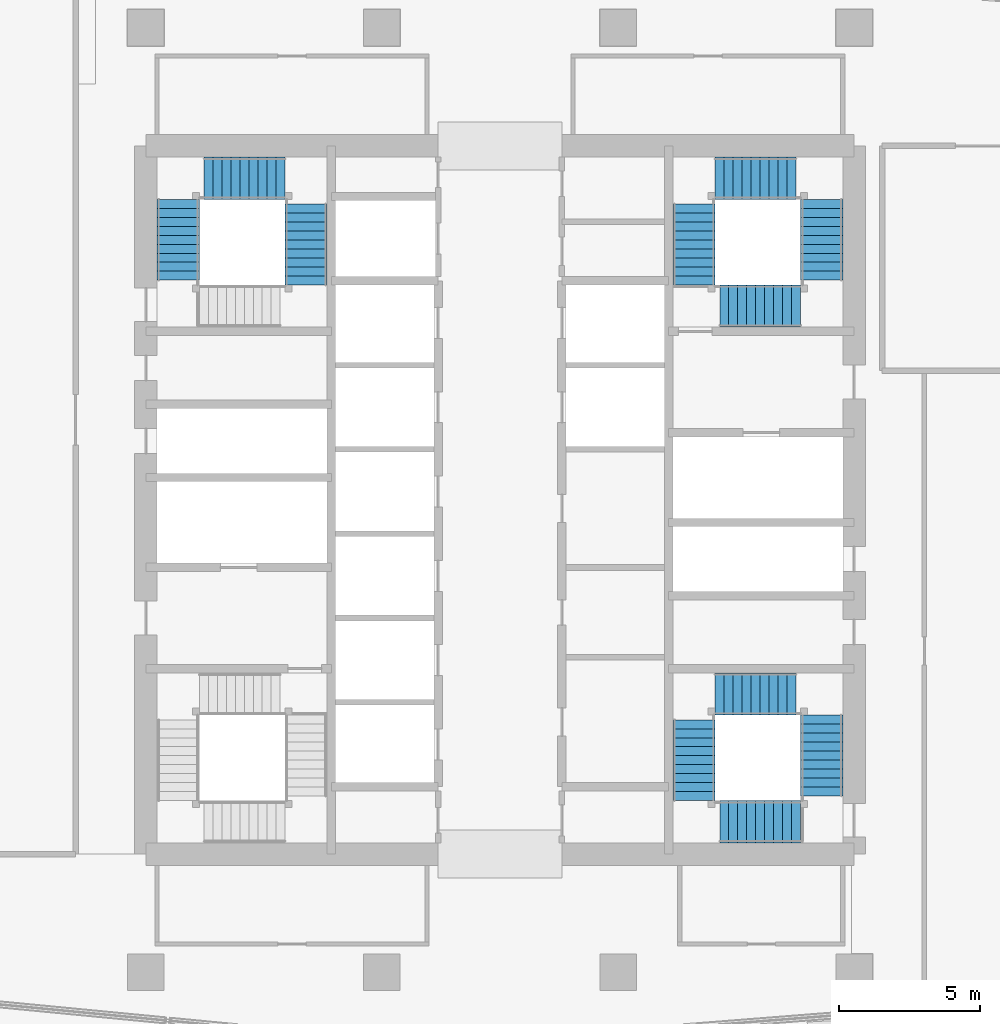
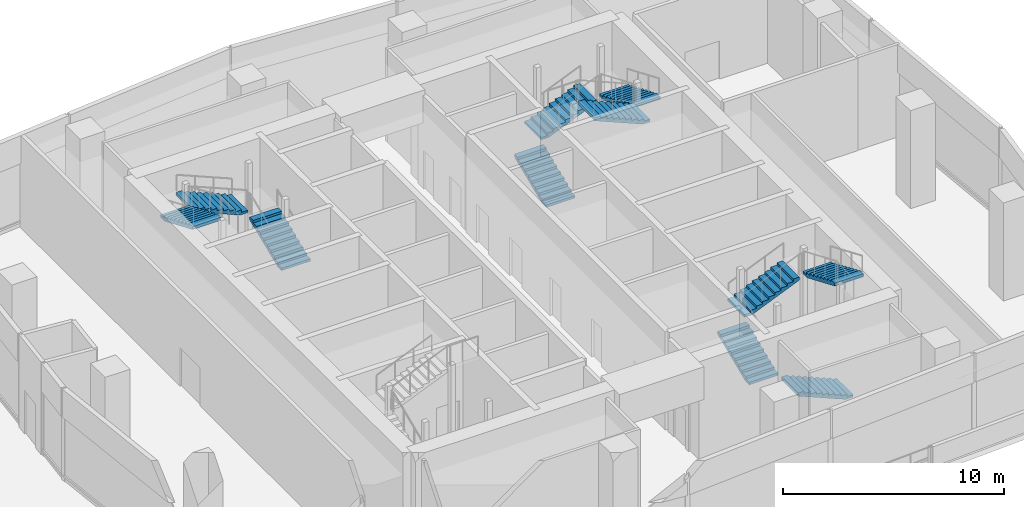
# One storey, part 15 of 22: 11 stair flights, 3 elements without a shape of their own.
"""IFC4 building model written with IfcOpenShell, lengths in metres."""

import ifcopenshell
import ifcopenshell.guid

model = None  # the IFC model being written
_history = None  # IfcOwnerHistory: only IFC2X3 demands one
_inside = {}  # id of a spatial element -> (the spatial element, [elements in it])
_under = {}  # id of a project, library or spatial element -> (it, [spatial elements below it])
_declared = {}  # id of a project -> (the project, [libraries it declares])
_typed = {}  # id of a type object -> (the type object, [elements of that type])
_made_of = {}  # id of a material, layer set ... -> (it, [elements and type objects made of it])


def new_model(schema):
    """Start an empty IFC model of exactly this schema.

    Asked for "IFC4X3", IfcOpenShell would pick the latest addendum, in which some entities
    have other attributes; the version numbers below select the first issue.
    IFC2X3 requires an IfcOwnerHistory on every rooted entity: one is made here for all.
    """
    global model, _history
    if schema == "IFC4X3":
        model = ifcopenshell.file(schema_version=(4, 3, 0, 0))
    else:
        model = ifcopenshell.file(schema=schema)
    _inside.clear()
    _under.clear()
    _declared.clear()
    _typed.clear()
    _made_of.clear()
    _history = None
    if model.schema == "IFC2X3":
        org = make("IfcOrganization", Name="unknown")
        user = make(
            "IfcPersonAndOrganization",
            ThePerson=make("IfcPerson", FamilyName="unknown"),
            TheOrganization=org,
        )
        app = make(
            "IfcApplication",
            ApplicationDeveloper=org,
            Version="unknown",
            ApplicationFullName="unknown",
            ApplicationIdentifier="unknown",
        )
        _history = make(
            "IfcOwnerHistory",
            OwningUser=user,
            OwningApplication=app,
            ChangeAction="ADDED",
            CreationDate=0,
        )
    return model


def make(cls, **values):
    """One entity of the class cls with the attributes given. An attribute that is None is left unset."""
    return model.create_entity(
        cls, **{name: value for name, value in values.items() if value is not None}
    )


def rooted(cls, **values):
    """An entity with a GlobalId (a new one), such as an element, a storey or a relation."""
    return make(cls, GlobalId=ifcopenshell.guid.new(), OwnerHistory=_history, **values)


def si_unit(unit_type, name, prefix=None):
    """IfcSIUnit, for example si_unit("LENGTHUNIT", "METRE", prefix="MILLI")."""
    return make("IfcSIUnit", UnitType=unit_type, Prefix=prefix, Name=name)


def assignment(units):
    """IfcUnitAssignment: the units of a project."""
    return None if units is None else make("IfcUnitAssignment", Units=units)


def point(xyz):
    """IfcCartesianPoint."""
    return None if xyz is None else make("IfcCartesianPoint", Coordinates=xyz)


def direction(xyz):
    """IfcDirection."""
    return None if xyz is None else make("IfcDirection", DirectionRatios=xyz)


def frame(location, z_axis=None, x_axis=None):
    """IfcAxis2Placement3D, a coordinate frame: its origin and axes. An axis left out is left unset."""
    return make(
        "IfcAxis2Placement3D",
        Location=point(location),
        Axis=direction(z_axis),
        RefDirection=direction(x_axis),
    )


def origin():
    """The frame at (0, 0, 0) with its axes left unset."""
    return frame((0.0, 0.0, 0.0))


def place(relative_to, where):
    """IfcLocalPlacement: puts the frame where relative to a parent placement (None: the world)."""
    return make(
        "IfcLocalPlacement", PlacementRelTo=relative_to, RelativePlacement=where
    )


def context(
    kind, dimensions, precision=None, world=None, true_north=None, identifier=None
):
    """IfcGeometricRepresentationContext, for example the 3D "Model" context."""
    return make(
        "IfcGeometricRepresentationContext",
        ContextIdentifier=identifier,
        ContextType=kind,
        CoordinateSpaceDimension=dimensions,
        Precision=precision,
        WorldCoordinateSystem=world,
        TrueNorth=true_north,
    )


def subcontext(parent, identifier, kind, view, scale=None):
    """IfcGeometricRepresentationSubContext, for example "Body" below "Model"."""
    return make(
        "IfcGeometricRepresentationSubContext",
        ContextIdentifier=identifier,
        ContextType=kind,
        ParentContext=parent,
        TargetScale=scale,
        TargetView=view,
    )


def project(units=None, contexts=None):
    """IfcProject with its units and contexts."""
    return rooted(
        "IfcProject",
        Name="project",
        RepresentationContexts=contexts,
        UnitsInContext=assignment(units),
    )


def spatial(cls, under=None, at=None, **own):
    """A site, building, storey or space (cls), placed at a placement, below another one or the project."""
    s = rooted(cls, ObjectPlacement=at, **own)
    if under is not None:
        _under.setdefault(under.id(), (under, []))[1].append(s)
    return s


def polyline(points):
    """IfcPolyline through the points."""
    return make("IfcPolyline", Points=[point(p) for p in points])


def outline(outer, holes=None, kind="AREA"):
    """IfcArbitraryClosedProfileDef: a profile drawn as a closed curve; with holes, ...WithVoids."""
    if holes is None:
        return make("IfcArbitraryClosedProfileDef", ProfileType=kind, OuterCurve=outer)
    return make(
        "IfcArbitraryProfileDefWithVoids",
        ProfileType=kind,
        OuterCurve=outer,
        InnerCurves=holes,
    )


def extrude(swept, where, along, depth):
    """IfcExtrudedAreaSolid: the profile swept, set in the frame where, extruded along a direction by depth."""
    return make(
        "IfcExtrudedAreaSolid",
        SweptArea=swept,
        Position=where,
        ExtrudedDirection=direction(along),
        Depth=depth,
    )


def shape(context_of_items, identifier, shape_type, items):
    """IfcShapeRepresentation: the items that make up one representation, for example the "Body"."""
    return make(
        "IfcShapeRepresentation",
        ContextOfItems=context_of_items,
        RepresentationIdentifier=identifier,
        RepresentationType=shape_type,
        Items=items,
    )


def material(Name=None, Category=None):
    """IfcMaterial."""
    return make("IfcMaterial", Name=Name, Category=Category)


def made_of(thing, what):
    """Note that an element or type object is made of a material, layer set ...; save() writes the relation."""
    if what is not None:
        _made_of.setdefault(what.id(), (what, []))[1].append(thing)
    return thing


def type_object(cls, material=None, **own):
    """A type object (cls), such as IfcWallType, which elements share."""
    return made_of(rooted(cls, **own), material)


def element(
    cls,
    number,
    at=None,
    inside=None,
    cuts=None,
    type_object=None,
    material=None,
    context=None,
    identifier="Body",
    shape_type=None,
    held_by="IfcProductDefinitionShape",
    body=None,
    shapes=None,
    **own,
):
    """One element of the class cls, such as IfcWall. Its Tag is "e" and its number.

    at: its placement. inside: the storey or other place that contains it. cuts: it is an
    opening in that element (IfcRelVoidsElement). A single representation is given by context,
    identifier, shape_type and body (its items); several are given by shapes. held_by: the class
    of the entity that holds the representations. save() writes the other relations.
    """
    e = rooted(cls, Tag="e%d" % number, ObjectPlacement=at, **own)
    if body is not None:
        shapes = [shape(context, identifier, shape_type, body)]
    if shapes is not None:
        e.Representation = make(held_by, Representations=shapes)
    if inside is not None:
        _inside.setdefault(inside.id(), (inside, []))[1].append(e)
    if cuts is not None:
        rooted(
            "IfcRelVoidsElement", RelatingBuildingElement=cuts, RelatedOpeningElement=e
        )
    if type_object is not None:
        _typed.setdefault(type_object.id(), (type_object, []))[1].append(e)
    return made_of(e, material)


def aggregate(whole, parts):
    """IfcRelAggregates: a whole, such as a stair, and the parts it consists of."""
    return rooted("IfcRelAggregates", RelatingObject=whole, RelatedObjects=parts)


def save(model, path):
    """Write the relations noted so far, then the file.

    IfcRelAggregates (storeys below a building ...), IfcRelContainedInSpatialStructure (elements
    in a storey), IfcRelDefinesByType, IfcRelAssociatesMaterial and IfcRelDeclares: one each for
    every whole, place, type object, material and project.
    """
    for whole, parts in _under.values():
        aggregate(whole, parts)
    for where, things in _inside.values():
        rooted(
            "IfcRelContainedInSpatialStructure",
            RelatedElements=things,
            RelatingStructure=where,
        )
    for kind, things in _typed.values():
        rooted("IfcRelDefinesByType", RelatedObjects=things, RelatingType=kind)
    for what, things in _made_of.values():
        rooted("IfcRelAssociatesMaterial", RelatedObjects=things, RelatingMaterial=what)
    for by, libraries in _declared.values():
        rooted("IfcRelDeclares", RelatingContext=by, RelatedDefinitions=libraries)
    model.write(path)


model = new_model("IFC4")

# Units and contexts
model_context = context("Model", 3, precision=1e-05, world=origin(), true_north=direction((0.0, 1.0)))
body_context = subcontext(model_context, "Body", "Model", "MODEL_VIEW")
ifc_project = project(units=[si_unit("LENGTHUNIT", "METRE"), si_unit("AREAUNIT", "SQUARE_METRE"), si_unit("VOLUMEUNIT", "CUBIC_METRE"), si_unit("PLANEANGLEUNIT", "RADIAN"), si_unit("MASSUNIT", "GRAM", prefix="KILO")], contexts=[model_context])

# Site, building, storey
site_placement = place(None, origin())
site = spatial("IfcSite", under=ifc_project, at=site_placement, CompositionType="ELEMENT")
building_placement = place(site_placement, origin())
building = spatial("IfcBuilding", under=site, at=building_placement, Name="Rekha Terrace Tower", CompositionType="ELEMENT")
storey_placement = place(building_placement, frame((0.0, 0.0, 291.35009765625)))
storey = spatial("IfcBuildingStorey", under=building, at=storey_placement, Name="L74", CompositionType="ELEMENT", Elevation=291.35009765625)

# Stair, stair flights
ifc_material = material(Name="Concrete M40", Category="concrete")
stair_type = type_object("IfcStairType", Name="ST40 stair, 40 risers of 135, going 320, 1500 wide flights, 4 flights", PredefinedType="QUARTER_TURN_STAIR", material=ifc_material)
stair_1_placement = place(storey_placement, origin())
stair_1 = element("IfcStair", 1, at=stair_1_placement, inside=storey, type_object=stair_type, Name="Stair ST2 L74 to L75", PredefinedType="QUARTER_TURN_STAIR")
stair_flight_type = type_object("IfcStairFlightType", Name="SF10 stair flight, 10 risers of 135, going 320, 1500 wide", PredefinedType="STRAIGHT", material=ifc_material)
stair_flight_1_placement = place(storey_placement, frame((44.699951171875, 41.25, 0.0), z_axis=(0.0, 0.0, 1.0), x_axis=(0.0, 1.0, 0.0)))
stair_flight_1 = element("IfcStairFlight", 2, at=stair_flight_1_placement, type_object=stair_flight_type, Name="ST2 flight 1", NumberOfRisers=10, NumberOfTreads=9, PredefinedType="STRAIGHT", RiserHeight=0.135, TreadLength=0.32, context=body_context, shape_type="SweptSolid", body=[
    extrude(outline(polyline([(0.0, 0.0), (0.0, 0.135009765625), (0.320068359375, 0.135009765625), (0.320068359375, 0.27001953125), (0.639892578125, 0.27001953125), (0.639892578125, 0.405029296875), (0.9599609375, 0.405029296875), (0.9599609375, 0.5400390625), (1.280029296875, 0.5400390625), (1.280029296875, 0.675048828125), (1.60009765625, 0.675048828125), (1.60009765625, 0.81005859375), (1.919921875, 0.81005859375), (1.919921875, 0.945068359375), (2.239990234375, 0.945068359375), (2.239990234375, 1.080078125), (2.56005859375, 1.080078125), (2.56005859375, 1.215087890625), (2.8798828125, 1.215087890625), (2.8798828125, 1.35009765625), (2.8798828125, 1.05224609375), (0.3857421875, 0.0), (0.0, 0.0)])), frame((0.0, 0.75, 0.0), z_axis=(0.0, -1.0, 0.0), x_axis=(1.0, 0.0, 0.0)), (0.0, 0.0, 1.0), 1.5),
])
stair_flight_2_placement = place(storey_placement, frame((45.449951171875, 45.050048828125, 1.349853515625), z_axis=(0.0, 0.0, 1.0), x_axis=(1.0, 0.0, 0.0)))
stair_flight_2 = element("IfcStairFlight", 3, at=stair_flight_2_placement, type_object=stair_flight_type, Name="ST2 flight 2", NumberOfRisers=10, NumberOfTreads=9, PredefinedType="STRAIGHT", RiserHeight=0.135, TreadLength=0.32, context=body_context, shape_type="SweptSolid", body=[
    extrude(outline(polyline([(0.0, 0.0), (0.0, 0.135009765625), (0.320068359375, 0.135009765625), (0.320068359375, 0.27001953125), (0.639892578125, 0.27001953125), (0.639892578125, 0.405029296875), (0.9599609375, 0.405029296875), (0.9599609375, 0.5400390625), (1.280029296875, 0.5400390625), (1.280029296875, 0.675048828125), (1.60009765625, 0.675048828125), (1.60009765625, 0.81005859375), (1.919921875, 0.81005859375), (1.919921875, 0.945068359375), (2.239990234375, 0.945068359375), (2.239990234375, 1.080078125), (2.56005859375, 1.080078125), (2.56005859375, 1.215087890625), (2.8798828125, 1.215087890625), (2.8798828125, 1.35009765625), (2.8798828125, 1.05224609375), (0.3857421875, 0.0), (0.0, 0.0)])), frame((0.0, 0.75, 0.0), z_axis=(0.0, -1.0, 0.0), x_axis=(1.0, 0.0, 0.0)), (0.0, 0.0, 1.0), 1.5),
])
stair_flight_3_placement = place(storey_placement, frame((49.25, 44.300048828125, 2.699951171875), z_axis=(0.0, 0.0, 1.0), x_axis=(0.0, -1.0, 0.0)))
stair_flight_3 = element("IfcStairFlight", 4, at=stair_flight_3_placement, type_object=stair_flight_type, Name="ST2 flight 3", NumberOfRisers=10, NumberOfTreads=9, PredefinedType="STRAIGHT", RiserHeight=0.135, TreadLength=0.32, context=body_context, shape_type="SweptSolid", body=[
    extrude(outline(polyline([(0.0, 0.0), (0.0, 0.135009765625), (0.320068359375, 0.135009765625), (0.320068359375, 0.27001953125), (0.639892578125, 0.27001953125), (0.639892578125, 0.405029296875), (0.9599609375, 0.405029296875), (0.9599609375, 0.5400390625), (1.280029296875, 0.5400390625), (1.280029296875, 0.675048828125), (1.60009765625, 0.675048828125), (1.60009765625, 0.81005859375), (1.919921875, 0.81005859375), (1.919921875, 0.945068359375), (2.239990234375, 0.945068359375), (2.239990234375, 1.080078125), (2.56005859375, 1.080078125), (2.56005859375, 1.215087890625), (2.8798828125, 1.215087890625), (2.8798828125, 1.35009765625), (2.8798828125, 1.05224609375), (0.3857421875, 0.0), (0.0, 0.0)])), frame((0.0, 0.75, 0.0), z_axis=(0.0, -1.0, 0.0), x_axis=(1.0, 0.0, 0.0)), (0.0, 0.0, 1.0), 1.5),
])
stair_flight_4_placement = place(storey_placement, frame((48.5, 40.5, 4.0498046875), z_axis=(0.0, 0.0, 1.0), x_axis=(-1.0, 0.0, 0.0)))
stair_flight_4 = element("IfcStairFlight", 5, at=stair_flight_4_placement, type_object=stair_flight_type, Name="ST2 flight 4", NumberOfRisers=10, NumberOfTreads=9, PredefinedType="STRAIGHT", RiserHeight=0.135, TreadLength=0.32, context=body_context, shape_type="SweptSolid", body=[
    extrude(outline(polyline([(0.0, 0.0), (0.0, 0.135009765625), (0.320068359375, 0.135009765625), (0.320068359375, 0.27001953125), (0.639892578125, 0.27001953125), (0.639892578125, 0.405029296875), (0.9599609375, 0.405029296875), (0.9599609375, 0.5400390625), (1.280029296875, 0.5400390625), (1.280029296875, 0.675048828125), (1.60009765625, 0.675048828125), (1.60009765625, 0.81005859375), (1.919921875, 0.81005859375), (1.919921875, 0.945068359375), (2.239990234375, 0.945068359375), (2.239990234375, 1.080078125), (2.56005859375, 1.080078125), (2.56005859375, 1.215087890625), (2.8798828125, 1.215087890625), (2.8798828125, 1.35009765625), (2.8798828125, 1.05224609375), (0.3857421875, 0.0), (0.0, 0.0)])), frame((0.0, 0.75, 0.0), z_axis=(0.0, -1.0, 0.0), x_axis=(1.0, 0.0, 0.0)), (0.0, 0.0, 1.0), 1.5),
])
aggregate(stair_1, [stair_flight_1, stair_flight_2, stair_flight_3, stair_flight_4])

stair_2_placement = place(storey_placement, origin())
stair_2 = element("IfcStair", 6, at=stair_2_placement, inside=storey, type_object=stair_type, Name="Stair ST3 L74 to L75", PredefinedType="QUARTER_TURN_STAIR")
stair_flight_5_placement = place(storey_placement, frame((48.5, 22.14990234375, 0.0), z_axis=(0.0, 0.0, 1.0), x_axis=(-1.0, 0.0, 0.0)))
stair_flight_5 = element("IfcStairFlight", 7, at=stair_flight_5_placement, type_object=stair_flight_type, Name="ST3 flight 1", NumberOfRisers=10, NumberOfTreads=9, PredefinedType="STRAIGHT", RiserHeight=0.135, TreadLength=0.32, context=body_context, shape_type="SweptSolid", body=[
    extrude(outline(polyline([(0.0, 0.0), (0.0, 0.135009765625), (0.320068359375, 0.135009765625), (0.320068359375, 0.27001953125), (0.639892578125, 0.27001953125), (0.639892578125, 0.405029296875), (0.9599609375, 0.405029296875), (0.9599609375, 0.5400390625), (1.280029296875, 0.5400390625), (1.280029296875, 0.675048828125), (1.60009765625, 0.675048828125), (1.60009765625, 0.81005859375), (1.919921875, 0.81005859375), (1.919921875, 0.945068359375), (2.239990234375, 0.945068359375), (2.239990234375, 1.080078125), (2.56005859375, 1.080078125), (2.56005859375, 1.215087890625), (2.8798828125, 1.215087890625), (2.8798828125, 1.35009765625), (2.8798828125, 1.05224609375), (0.3857421875, 0.0), (0.0, 0.0)])), frame((0.0, 0.75, 0.0), z_axis=(0.0, -1.0, 0.0), x_axis=(1.0, 0.0, 0.0)), (0.0, 0.0, 1.0), 1.5),
])
stair_flight_6_placement = place(storey_placement, frame((44.699951171875, 22.89990234375, 1.349853515625), z_axis=(0.0, 0.0, 1.0), x_axis=(0.0, 1.0, 0.0)))
stair_flight_6 = element("IfcStairFlight", 8, at=stair_flight_6_placement, type_object=stair_flight_type, Name="ST3 flight 2", NumberOfRisers=10, NumberOfTreads=9, PredefinedType="STRAIGHT", RiserHeight=0.135, TreadLength=0.32, context=body_context, shape_type="SweptSolid", body=[
    extrude(outline(polyline([(0.0, 0.0), (0.0, 0.135009765625), (0.320068359375, 0.135009765625), (0.320068359375, 0.27001953125), (0.639892578125, 0.27001953125), (0.639892578125, 0.405029296875), (0.9599609375, 0.405029296875), (0.9599609375, 0.5400390625), (1.280029296875, 0.5400390625), (1.280029296875, 0.675048828125), (1.60009765625, 0.675048828125), (1.60009765625, 0.81005859375), (1.919921875, 0.81005859375), (1.919921875, 0.945068359375), (2.239990234375, 0.945068359375), (2.239990234375, 1.080078125), (2.56005859375, 1.080078125), (2.56005859375, 1.215087890625), (2.8798828125, 1.215087890625), (2.8798828125, 1.35009765625), (2.8798828125, 1.05224609375), (0.3857421875, 0.0), (0.0, 0.0)])), frame((0.0, 0.75, 0.0), z_axis=(0.0, -1.0, 0.0), x_axis=(1.0, 0.0, 0.0)), (0.0, 0.0, 1.0), 1.5),
])
stair_flight_7_placement = place(storey_placement, frame((45.449951171875, 26.699951171875, 2.699951171875), z_axis=(0.0, 0.0, 1.0), x_axis=(1.0, 0.0, 0.0)))
stair_flight_7 = element("IfcStairFlight", 9, at=stair_flight_7_placement, type_object=stair_flight_type, Name="ST3 flight 3", NumberOfRisers=10, NumberOfTreads=9, PredefinedType="STRAIGHT", RiserHeight=0.135, TreadLength=0.32, context=body_context, shape_type="SweptSolid", body=[
    extrude(outline(polyline([(0.0, 0.0), (0.0, 0.135009765625), (0.320068359375, 0.135009765625), (0.320068359375, 0.27001953125), (0.639892578125, 0.27001953125), (0.639892578125, 0.405029296875), (0.9599609375, 0.405029296875), (0.9599609375, 0.5400390625), (1.280029296875, 0.5400390625), (1.280029296875, 0.675048828125), (1.60009765625, 0.675048828125), (1.60009765625, 0.81005859375), (1.919921875, 0.81005859375), (1.919921875, 0.945068359375), (2.239990234375, 0.945068359375), (2.239990234375, 1.080078125), (2.56005859375, 1.080078125), (2.56005859375, 1.215087890625), (2.8798828125, 1.215087890625), (2.8798828125, 1.35009765625), (2.8798828125, 1.05224609375), (0.3857421875, 0.0), (0.0, 0.0)])), frame((0.0, 0.75, 0.0), z_axis=(0.0, -1.0, 0.0), x_axis=(1.0, 0.0, 0.0)), (0.0, 0.0, 1.0), 1.5),
])
stair_flight_8_placement = place(storey_placement, frame((49.25, 25.949951171875, 4.0498046875), z_axis=(0.0, 0.0, 1.0), x_axis=(0.0, -1.0, 0.0)))
stair_flight_8 = element("IfcStairFlight", 10, at=stair_flight_8_placement, type_object=stair_flight_type, Name="ST3 flight 4", NumberOfRisers=10, NumberOfTreads=9, PredefinedType="STRAIGHT", RiserHeight=0.135, TreadLength=0.32, context=body_context, shape_type="SweptSolid", body=[
    extrude(outline(polyline([(0.0, 0.0), (0.0, 0.135009765625), (0.320068359375, 0.135009765625), (0.320068359375, 0.27001953125), (0.639892578125, 0.27001953125), (0.639892578125, 0.405029296875), (0.9599609375, 0.405029296875), (0.9599609375, 0.5400390625), (1.280029296875, 0.5400390625), (1.280029296875, 0.675048828125), (1.60009765625, 0.675048828125), (1.60009765625, 0.81005859375), (1.919921875, 0.81005859375), (1.919921875, 0.945068359375), (2.239990234375, 0.945068359375), (2.239990234375, 1.080078125), (2.56005859375, 1.080078125), (2.56005859375, 1.215087890625), (2.8798828125, 1.215087890625), (2.8798828125, 1.35009765625), (2.8798828125, 1.05224609375), (0.3857421875, 0.0), (0.0, 0.0)])), frame((0.0, 0.75, 0.0), z_axis=(0.0, -1.0, 0.0), x_axis=(1.0, 0.0, 0.0)), (0.0, 0.0, 1.0), 1.5),
])
aggregate(stair_2, [stair_flight_5, stair_flight_6, stair_flight_7, stair_flight_8])

stair_3_placement = place(storey_placement, origin())
stair_3 = element("IfcStair", 11, at=stair_3_placement, inside=storey, type_object=stair_type, Name="Stair ST4 L74 to L75", PredefinedType="QUARTER_TURN_STAIR")
stair_flight_9_placement = place(storey_placement, frame((30.89990234375, 41.25, 1.349853515625), z_axis=(0.0, 0.0, 1.0), x_axis=(0.0, 1.0, 0.0)))
stair_flight_9 = element("IfcStairFlight", 12, at=stair_flight_9_placement, type_object=stair_flight_type, Name="ST4 flight 2", NumberOfRisers=10, NumberOfTreads=9, PredefinedType="STRAIGHT", RiserHeight=0.135, TreadLength=0.32, context=body_context, shape_type="SweptSolid", body=[
    extrude(outline(polyline([(0.0, 0.0), (0.0, 0.135009765625), (0.320068359375, 0.135009765625), (0.320068359375, 0.27001953125), (0.639892578125, 0.27001953125), (0.639892578125, 0.405029296875), (0.9599609375, 0.405029296875), (0.9599609375, 0.5400390625), (1.280029296875, 0.5400390625), (1.280029296875, 0.675048828125), (1.60009765625, 0.675048828125), (1.60009765625, 0.81005859375), (1.919921875, 0.81005859375), (1.919921875, 0.945068359375), (2.239990234375, 0.945068359375), (2.239990234375, 1.080078125), (2.56005859375, 1.080078125), (2.56005859375, 1.215087890625), (2.8798828125, 1.215087890625), (2.8798828125, 1.35009765625), (2.8798828125, 1.05224609375), (0.3857421875, 0.0), (0.0, 0.0)])), frame((0.0, 0.75, 0.0), z_axis=(0.0, -1.0, 0.0), x_axis=(1.0, 0.0, 0.0)), (0.0, 0.0, 1.0), 1.5),
])
stair_flight_10_placement = place(storey_placement, frame((30.14990234375, 45.050048828125, 2.699951171875), z_axis=(0.0, 0.0, 1.0), x_axis=(-1.0, 0.0, 0.0)))
stair_flight_10 = element("IfcStairFlight", 13, at=stair_flight_10_placement, type_object=stair_flight_type, Name="ST4 flight 3", NumberOfRisers=10, NumberOfTreads=9, PredefinedType="STRAIGHT", RiserHeight=0.135, TreadLength=0.32, context=body_context, shape_type="SweptSolid", body=[
    extrude(outline(polyline([(0.0, 0.0), (0.0, 0.135009765625), (0.320068359375, 0.135009765625), (0.320068359375, 0.27001953125), (0.639892578125, 0.27001953125), (0.639892578125, 0.405029296875), (0.9599609375, 0.405029296875), (0.9599609375, 0.5400390625), (1.280029296875, 0.5400390625), (1.280029296875, 0.675048828125), (1.60009765625, 0.675048828125), (1.60009765625, 0.81005859375), (1.919921875, 0.81005859375), (1.919921875, 0.945068359375), (2.239990234375, 0.945068359375), (2.239990234375, 1.080078125), (2.56005859375, 1.080078125), (2.56005859375, 1.215087890625), (2.8798828125, 1.215087890625), (2.8798828125, 1.35009765625), (2.8798828125, 1.05224609375), (0.3857421875, 0.0), (0.0, 0.0)])), frame((0.0, 0.75, 0.0), z_axis=(0.0, -1.0, 0.0), x_axis=(1.0, 0.0, 0.0)), (0.0, 0.0, 1.0), 1.5),
])
stair_flight_11_placement = place(storey_placement, frame((26.35009765625, 44.300048828125, 4.0498046875), z_axis=(0.0, 0.0, 1.0), x_axis=(0.0, -1.0, 0.0)))
stair_flight_11 = element("IfcStairFlight", 14, at=stair_flight_11_placement, type_object=stair_flight_type, Name="ST4 flight 4", NumberOfRisers=10, NumberOfTreads=9, PredefinedType="STRAIGHT", RiserHeight=0.135, TreadLength=0.32, context=body_context, shape_type="SweptSolid", body=[
    extrude(outline(polyline([(0.0, 0.0), (0.0, 0.135009765625), (0.320068359375, 0.135009765625), (0.320068359375, 0.27001953125), (0.639892578125, 0.27001953125), (0.639892578125, 0.405029296875), (0.9599609375, 0.405029296875), (0.9599609375, 0.5400390625), (1.280029296875, 0.5400390625), (1.280029296875, 0.675048828125), (1.60009765625, 0.675048828125), (1.60009765625, 0.81005859375), (1.919921875, 0.81005859375), (1.919921875, 0.945068359375), (2.239990234375, 0.945068359375), (2.239990234375, 1.080078125), (2.56005859375, 1.080078125), (2.56005859375, 1.215087890625), (2.8798828125, 1.215087890625), (2.8798828125, 1.35009765625), (2.8798828125, 1.05224609375), (0.3857421875, 0.0), (0.0, 0.0)])), frame((0.0, 0.75, 0.0), z_axis=(0.0, -1.0, 0.0), x_axis=(1.0, 0.0, 0.0)), (0.0, 0.0, 1.0), 1.5),
])
aggregate(stair_3, [stair_flight_9, stair_flight_10, stair_flight_11])

save(model, "model.ifc")
